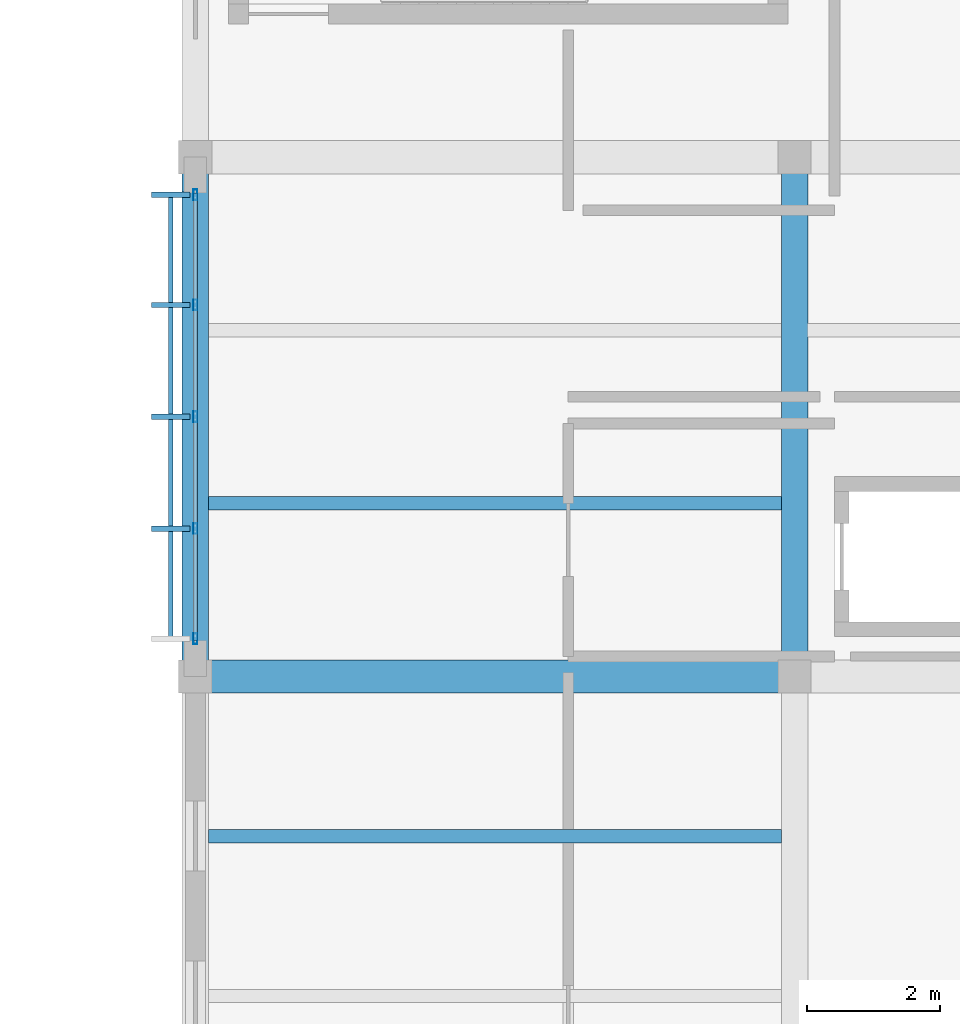
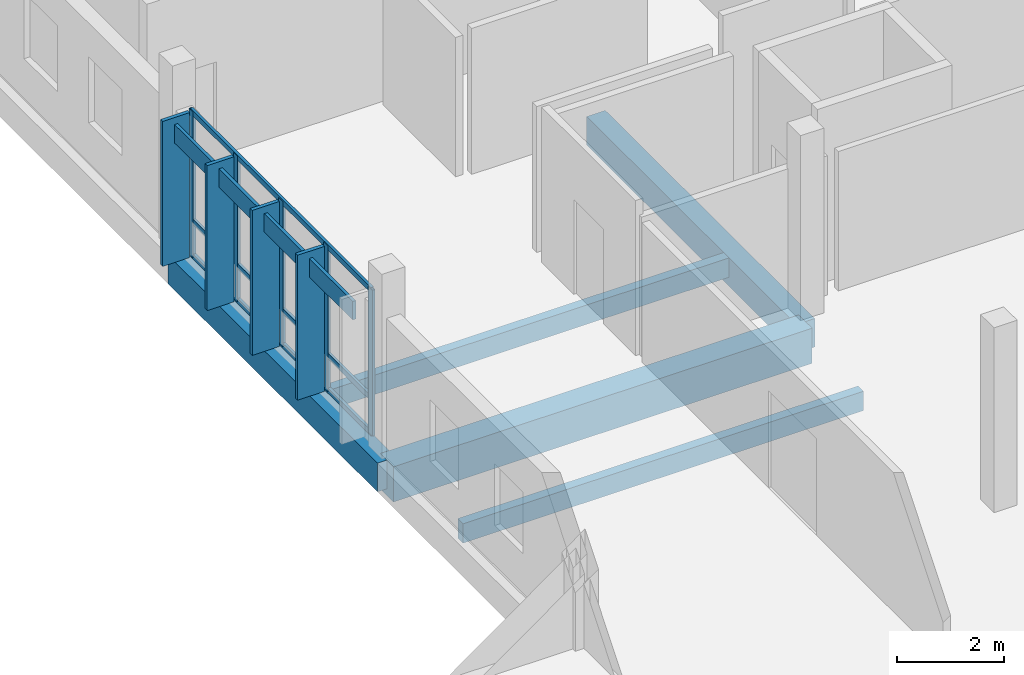
# One storey, part 10 of 24: 13 members, 5 beams, 1 element without a shape of its own.
"""IFC4 building model written with IfcOpenShell, lengths in metres."""

from ifc_helpers import new_model, si_unit, direction, frame, origin, origin_2d, place, context, subcontext, project, spatial, rectangle, hollow_rectangle, extrude, material, material_profile, profile_set, type_object, element, aggregate, save


model = new_model("IFC4")

# Units and contexts
model_context = context("Model", 3, precision=1e-05, world=origin(), true_north=direction((0.0, 1.0)))
body_context = subcontext(model_context, "Body", "Model", "MODEL_VIEW")
ifc_project = project(units=[si_unit("LENGTHUNIT", "METRE"), si_unit("AREAUNIT", "SQUARE_METRE"), si_unit("VOLUMEUNIT", "CUBIC_METRE"), si_unit("PLANEANGLEUNIT", "RADIAN"), si_unit("MASSUNIT", "GRAM", prefix="KILO")], contexts=[model_context])

# Site, building, storey
site_placement = place(None, origin())
site = spatial("IfcSite", under=ifc_project, at=site_placement, CompositionType="ELEMENT")
building_placement = place(site_placement, origin())
building = spatial("IfcBuilding", under=site, at=building_placement, Name="Chiffa Square Polytechnic", CompositionType="ELEMENT")
storey_placement = place(building_placement, frame((0.0, 0.0, 22.199951171875)))
storey = spatial("IfcBuildingStorey", under=building, at=storey_placement, Name="L05", CompositionType="ELEMENT", Elevation=22.199951171875)

# Beams
ifc_material_1 = material(Name="Concrete C35/45", Category="concrete")
ifc_material_profile_1 = material_profile(ifc_material_1, rectangle(XDim=0.39990234375, YDim=0.64990234375, at=origin_2d()), Name="RC 400x650")
ifc_profile_set_1 = profile_set([ifc_material_profile_1], Name="Concrete C35/45")
beam_type_1 = type_object("IfcBeamType", Name="BM-RC-400X650", PredefinedType="BEAM", material=ifc_profile_set_1)
for number, where, z_axis, x_axis, name in (
    (1, (148.199951171875, 36.0, -0.5849609375), (0.0, 1.0, 0.0), (-1.0, 0.0, 0.0), "Primary floor girder BM-V1-L05-Y-1482-0360"),
    (2, (157.199951171875, 36.0, -0.5849609375), (0.0, 1.0, 0.0), (-1.0, 0.0, 0.0), "Primary floor girder BM-V1-L05-Y-1572-0360"),
):
    element("IfcBeam", number, at=place(storey_placement, frame(where, z_axis=z_axis, x_axis=x_axis)), inside=storey, type_object=beam_type_1, Name=name, PredefinedType="BEAM", context=body_context, shape_type="SweptSolid", body=[
        extrude(rectangle(XDim=0.39990234375, YDim=0.64990234375, at=origin_2d()), origin(), (0.0, 0.0, 1.0), 7.800048828125),
    ])
ifc_material_2 = material(Name="Concrete C40/50", Category="concrete")
ifc_material_profile_2 = material_profile(ifc_material_2, rectangle(XDim=0.5, YDim=0.800048828125, at=origin_2d()), Name="RC 500x800")
ifc_profile_set_2 = profile_set([ifc_material_profile_2], Name="Concrete C40/50")
beam_type_2 = type_object("IfcBeamType", Name="BM-RC-500X800", PredefinedType="BEAM", material=ifc_profile_set_2)
beam_placement = place(storey_placement, frame((148.199951171875, 36.0, -0.659912109375), z_axis=(1.0, 0.0, 0.0), x_axis=(0.0, 1.0, 0.0)))
element("IfcBeam", 3, at=beam_placement, inside=storey, type_object=beam_type_2, Name="Primary floor girder BM-V1-L05-X-1482-0360", PredefinedType="BEAM", context=body_context, shape_type="SweptSolid", body=[
    extrude(rectangle(XDim=0.5, YDim=0.800048828125, at=origin_2d()), origin(), (0.0, 0.0, 1.0), 9.0),
])

# Curtain wall, members
ifc_material_3 = material(Name="Aluminium EN AW-6060 T66 and glulam shading", Category="wood")
curtain_wall_type = type_object("IfcCurtainWallType", Name="CW-VERT-600X380", PredefinedType="USERDEFINED", material=ifc_material_3)
curtain_wall_placement = place(storey_placement, origin())
curtain_wall = element("IfcCurtainWall", 4, at=curtain_wall_placement, inside=storey, type_object=curtain_wall_type, Name="Curtain wall CW-V1-L05-140", ObjectType="CURTAIN WALL", PredefinedType="USERDEFINED")
ifc_material_4 = material(Name="Aluminium EN AW-6060 T66", Category="aluminium")
ifc_material_profile_3 = material_profile(ifc_material_4, hollow_rectangle(XDim=0.06005859375, YDim=0.159912109375, WallThickness=0.00390625, at=origin_2d()), Name="ALU 60x160x4")
ifc_profile_set_3 = profile_set([ifc_material_profile_3], Name="Aluminium EN AW-6060 T66")
member_type_1 = type_object("IfcMemberType", Name="CWM-ALU-65X150", PredefinedType="MULLION", material=ifc_profile_set_3)
member_1_placement = place(storey_placement, frame((148.199951171875, 43.235107421875, 0.0), z_axis=(0.0, 0.0, 1.0), x_axis=(1.0, 0.0, 0.0)))
member_1 = element("IfcMember", 5, at=member_1_placement, type_object=member_type_1, Name="Curtain wall mullion CW-V1-L05-140-M00", PredefinedType="MULLION", context=body_context, shape_type="SweptSolid", body=[
    extrude(hollow_rectangle(XDim=0.06005859375, YDim=0.159912109375, WallThickness=0.00390625, at=origin_2d()), origin(), (0.0, 0.0, 1.0), 3.31494140625),
])
member_2_placement = place(storey_placement, frame((148.199951171875, 41.580078125, 0.0), z_axis=(0.0, 0.0, 1.0), x_axis=(1.0, 0.0, 0.0)))
member_2 = element("IfcMember", 6, at=member_2_placement, type_object=member_type_1, Name="Curtain wall mullion CW-V1-L05-140-M01", PredefinedType="MULLION", context=body_context, shape_type="SweptSolid", body=[
    extrude(hollow_rectangle(XDim=0.06005859375, YDim=0.159912109375, WallThickness=0.00390625, at=origin_2d()), origin(), (0.0, 0.0, 1.0), 3.31494140625),
])
member_3_placement = place(storey_placement, frame((148.199951171875, 39.89990234375, 0.0), z_axis=(0.0, 0.0, 1.0), x_axis=(1.0, 0.0, 0.0)))
member_3 = element("IfcMember", 7, at=member_3_placement, type_object=member_type_1, Name="Curtain wall mullion CW-V1-L05-140-M02", PredefinedType="MULLION", context=body_context, shape_type="SweptSolid", body=[
    extrude(hollow_rectangle(XDim=0.06005859375, YDim=0.159912109375, WallThickness=0.00390625, at=origin_2d()), origin(), (0.0, 0.0, 1.0), 3.31494140625),
])
member_4_placement = place(storey_placement, frame((148.199951171875, 38.219970703125, 0.0), z_axis=(0.0, 0.0, 1.0), x_axis=(1.0, 0.0, 0.0)))
member_4 = element("IfcMember", 8, at=member_4_placement, type_object=member_type_1, Name="Curtain wall mullion CW-V1-L05-140-M03", PredefinedType="MULLION", context=body_context, shape_type="SweptSolid", body=[
    extrude(hollow_rectangle(XDim=0.06005859375, YDim=0.159912109375, WallThickness=0.00390625, at=origin_2d()), origin(), (0.0, 0.0, 1.0), 3.31494140625),
])
member_5_placement = place(storey_placement, frame((148.199951171875, 36.56494140625, 0.0), z_axis=(0.0, 0.0, 1.0), x_axis=(1.0, 0.0, 0.0)))
member_5 = element("IfcMember", 9, at=member_5_placement, type_object=member_type_1, Name="Curtain wall mullion CW-V1-L05-140-M04", PredefinedType="MULLION", context=body_context, shape_type="SweptSolid", body=[
    extrude(hollow_rectangle(XDim=0.06005859375, YDim=0.159912109375, WallThickness=0.00390625, at=origin_2d()), origin(), (0.0, 0.0, 1.0), 3.31494140625),
])
ifc_material_5 = material(Name="Glulam GL28h", Category="wood")
ifc_material_profile_4 = material_profile(ifc_material_5, rectangle(XDim=0.080078125, YDim=0.580078125, at=origin_2d()), Name="GL28h 80x580")
ifc_profile_set_4 = profile_set([ifc_material_profile_4], Name="Glulam GL28h")
member_type_2 = type_object("IfcMemberType", Name="CWM-GL-80X580", PredefinedType="MULLION", material=ifc_profile_set_4)
member_6_placement = place(storey_placement, frame((147.827880859375, 43.235107421875, 0.010009765625), z_axis=(0.0, 0.0, 1.0), x_axis=(0.0, -1.0, 0.0)))
member_6 = element("IfcMember", 10, at=member_6_placement, type_object=member_type_2, Name="Exterior glulam solar fin CW-V1-L05-140-FN00", PredefinedType="MULLION", context=body_context, shape_type="SweptSolid", body=[
    extrude(rectangle(XDim=0.080078125, YDim=0.580078125, at=origin_2d()), origin(), (0.0, 0.0, 1.0), 3.294921875),
])
member_7_placement = place(storey_placement, frame((147.827880859375, 41.580078125, 0.010009765625), z_axis=(0.0, 0.0, 1.0), x_axis=(0.0, -1.0, 0.0)))
member_7 = element("IfcMember", 11, at=member_7_placement, type_object=member_type_2, Name="Exterior glulam solar fin CW-V1-L05-140-FN01", PredefinedType="MULLION", context=body_context, shape_type="SweptSolid", body=[
    extrude(rectangle(XDim=0.080078125, YDim=0.580078125, at=origin_2d()), origin(), (0.0, 0.0, 1.0), 3.294921875),
])
member_8_placement = place(storey_placement, frame((147.827880859375, 39.89990234375, 0.010009765625), z_axis=(0.0, 0.0, 1.0), x_axis=(0.0, -1.0, 0.0)))
member_8 = element("IfcMember", 12, at=member_8_placement, type_object=member_type_2, Name="Exterior glulam solar fin CW-V1-L05-140-FN02", PredefinedType="MULLION", context=body_context, shape_type="SweptSolid", body=[
    extrude(rectangle(XDim=0.080078125, YDim=0.580078125, at=origin_2d()), origin(), (0.0, 0.0, 1.0), 3.294921875),
])
member_9_placement = place(storey_placement, frame((147.827880859375, 38.219970703125, 0.010009765625), z_axis=(0.0, 0.0, 1.0), x_axis=(0.0, -1.0, 0.0)))
member_9 = element("IfcMember", 13, at=member_9_placement, type_object=member_type_2, Name="Exterior glulam solar fin CW-V1-L05-140-FN03", PredefinedType="MULLION", context=body_context, shape_type="SweptSolid", body=[
    extrude(rectangle(XDim=0.080078125, YDim=0.580078125, at=origin_2d()), origin(), (0.0, 0.0, 1.0), 3.294921875),
])
ifc_material_profile_5 = material_profile(ifc_material_4, hollow_rectangle(XDim=0.06005859375, YDim=0.1201171875, WallThickness=0.00390625, at=origin_2d()), Name="ALU 60x120x4")
ifc_profile_set_5 = profile_set([ifc_material_profile_5], Name="Aluminium EN AW-6060 T66")
member_type_3 = type_object("IfcMemberType", Name="CWT-ALU-65X120", PredefinedType="USERDEFINED", material=ifc_profile_set_5)
member_10_placement = place(storey_placement, frame((148.199951171875, 43.261962890625, 0.030029296875), z_axis=(0.0, -1.0, 0.0), x_axis=(1.0, 0.0, 0.0)))
member_10 = element("IfcMember", 14, at=member_10_placement, type_object=member_type_3, Name="Curtain wall transom CW-V1-L05-140-T01", ObjectType="TRANSOM", PredefinedType="USERDEFINED", context=body_context, shape_type="SweptSolid", body=[
    extrude(hollow_rectangle(XDim=0.06005859375, YDim=0.1201171875, WallThickness=0.00390625, at=origin_2d()), origin(), (0.0, 0.0, 1.0), 6.723876953125),
])
member_11_placement = place(storey_placement, frame((148.199951171875, 43.261962890625, 0.820068359375), z_axis=(0.0, -1.0, 0.0), x_axis=(1.0, 0.0, 0.0)))
member_11 = element("IfcMember", 15, at=member_11_placement, type_object=member_type_3, Name="Curtain wall transom CW-V1-L05-140-T02", ObjectType="TRANSOM", PredefinedType="USERDEFINED", context=body_context, shape_type="SweptSolid", body=[
    extrude(hollow_rectangle(XDim=0.06005859375, YDim=0.1201171875, WallThickness=0.00390625, at=origin_2d()), origin(), (0.0, 0.0, 1.0), 6.723876953125),
])
member_12_placement = place(storey_placement, frame((148.199951171875, 43.261962890625, 3.28515625), z_axis=(0.0, -1.0, 0.0), x_axis=(1.0, 0.0, 0.0)))
member_12 = element("IfcMember", 16, at=member_12_placement, type_object=member_type_3, Name="Curtain wall transom CW-V1-L05-140-T03", ObjectType="TRANSOM", PredefinedType="USERDEFINED", context=body_context, shape_type="SweptSolid", body=[
    extrude(hollow_rectangle(XDim=0.06005859375, YDim=0.1201171875, WallThickness=0.00390625, at=origin_2d()), origin(), (0.0, 0.0, 1.0), 6.723876953125),
])
ifc_material_profile_6 = material_profile(ifc_material_5, rectangle(XDim=0.070068359375, YDim=0.419921875, at=origin_2d()), Name="GL28h 70x420")
ifc_profile_set_6 = profile_set([ifc_material_profile_6], Name="Glulam GL28h")
member_type_4 = type_object("IfcMemberType", Name="CWT-GL-70X420", PredefinedType="USERDEFINED", material=ifc_profile_set_6)
member_13_placement = place(storey_placement, frame((147.827880859375, 43.235107421875, 2.93505859375), z_axis=(0.0, -1.0, 0.0), x_axis=(1.0, 0.0, 0.0)))
member_13 = element("IfcMember", 17, at=member_13_placement, type_object=member_type_4, Name="Exterior glulam brise-soleil CW-V1-L05-140-BS01", ObjectType="TRANSOM", PredefinedType="USERDEFINED", context=body_context, shape_type="SweptSolid", body=[
    extrude(rectangle(XDim=0.070068359375, YDim=0.419921875, at=origin_2d()), origin(), (0.0, 0.0, 1.0), 6.670166015625),
])
aggregate(curtain_wall, [member_1, member_6, member_2, member_7, member_3, member_8, member_4, member_9, member_5, member_10, member_11, member_12, member_13])

# Beams
ifc_material_profile_7 = material_profile(ifc_material_5, rectangle(XDim=0.199951171875, YDim=0.43994140625, at=origin_2d()), Name="GL28h 200x440")
ifc_profile_set_7 = profile_set([ifc_material_profile_7], Name="Glulam GL28h")
beam_type_3 = type_object("IfcBeamType", Name="JST-GL-200X440", PredefinedType="JOIST", material=ifc_profile_set_7)
for number, where, z_axis, x_axis, name in (
    (18, (148.39794921875, 33.60009765625, -0.47998046875), (1.0, 0.0, 0.0), (0.0, 1.0, 0.0), "Secondary floor joist JST-V1-L05-1482-0336"),
    (19, (148.39794921875, 38.60009765625, -0.47998046875), (1.0, 0.0, 0.0), (0.0, 1.0, 0.0), "Secondary floor joist JST-V1-L05-1482-0386"),
):
    element("IfcBeam", number, at=place(storey_placement, frame(where, z_axis=z_axis, x_axis=x_axis)), inside=storey, type_object=beam_type_3, Name=name, PredefinedType="JOIST", context=body_context, shape_type="SweptSolid", body=[
        extrude(rectangle(XDim=0.199951171875, YDim=0.43994140625, at=origin_2d()), origin(), (0.0, 0.0, 1.0), 8.60400390625),
    ])

save(model, "model.ifc")
